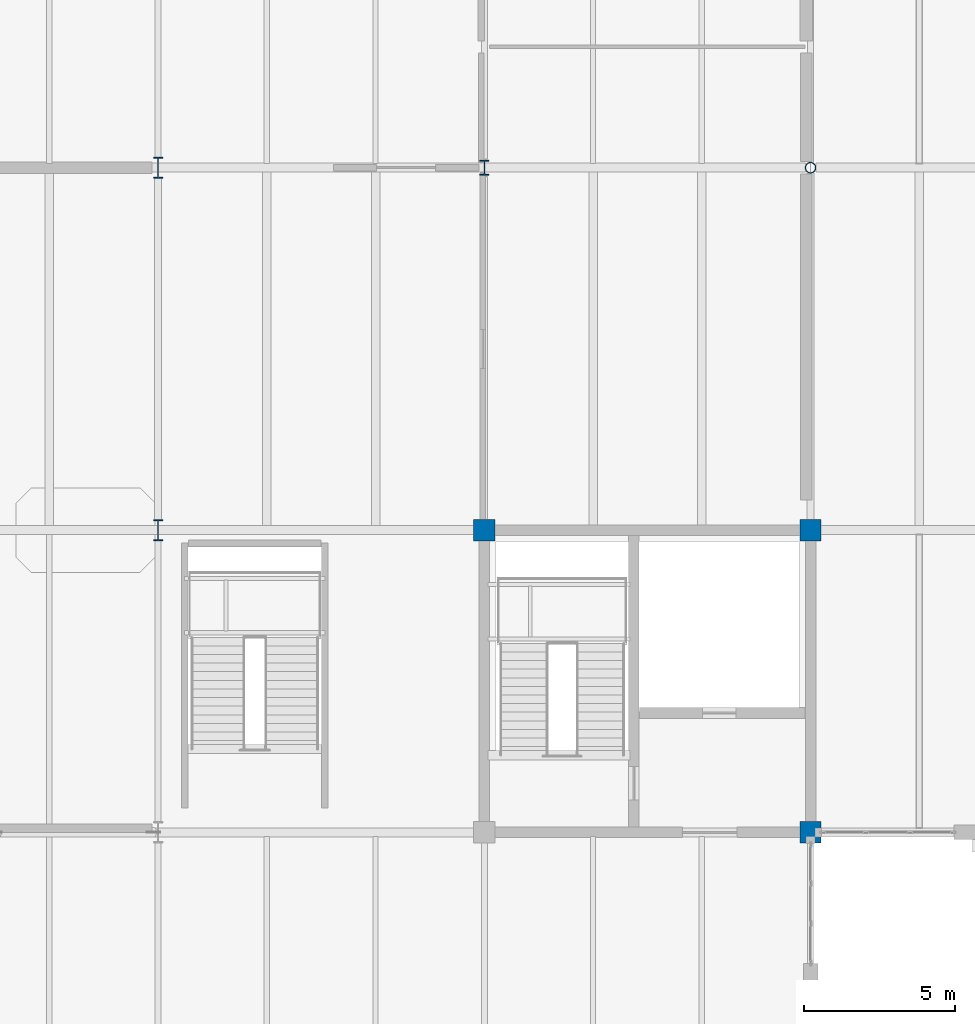
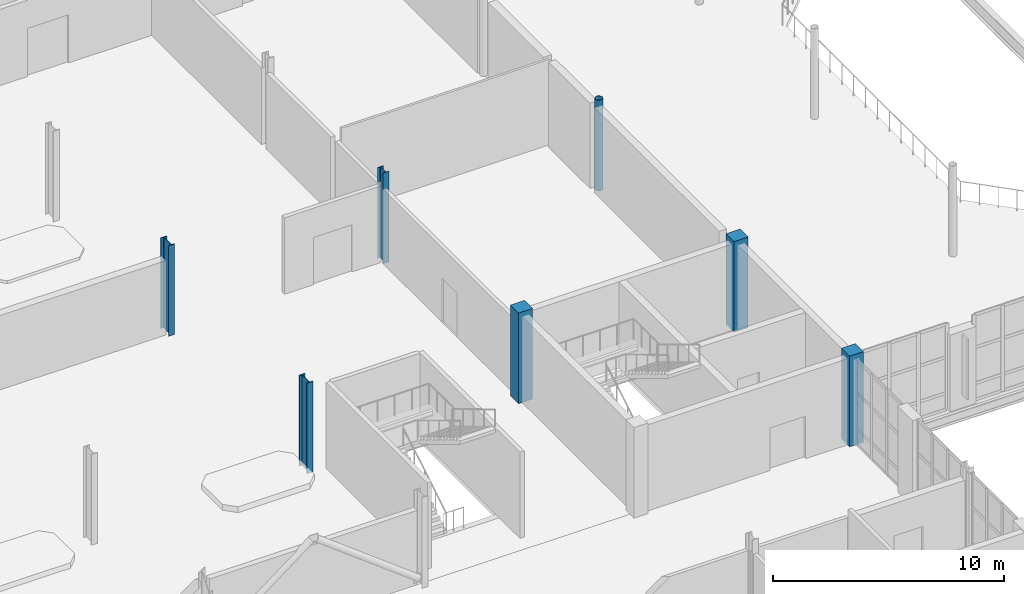
# One storey, part 4 of 92: 7 columns.
"""IFC4 building model written with IfcOpenShell, lengths in metres."""

from ifc_helpers import new_model, si_unit, direction, frame, origin, origin_2d, place, context, subcontext, project, spatial, rectangle, hollow_circle, i_section, extrude, material, material_profile, profile_set, type_object, element, save


model = new_model("IFC4")

# Units and contexts
model_context = context("Model", 3, precision=1e-05, world=origin(), true_north=direction((0.0, 1.0)))
body_context = subcontext(model_context, "Body", "Model", "MODEL_VIEW")
ifc_project = project(units=[si_unit("LENGTHUNIT", "METRE"), si_unit("AREAUNIT", "SQUARE_METRE"), si_unit("VOLUMEUNIT", "CUBIC_METRE"), si_unit("PLANEANGLEUNIT", "RADIAN"), si_unit("MASSUNIT", "GRAM", prefix="KILO")], contexts=[model_context])

# Site, building, storey
site_placement = place(None, origin())
site = spatial("IfcSite", under=ifc_project, at=site_placement, CompositionType="ELEMENT")
building_placement = place(site_placement, origin())
building = spatial("IfcBuilding", under=site, at=building_placement, Name="Tasgan Crest Museum", CompositionType="ELEMENT")
storey_placement = place(building_placement, frame((0.0, 0.0, 4.800048828125)))
storey = spatial("IfcBuildingStorey", under=building, at=storey_placement, Name="L01", CompositionType="ELEMENT", Elevation=4.800048828125)

# Columns
ifc_material_1 = material(Name="Steel S355K2", Category="steel")
ifc_material_profile_1 = material_profile(ifc_material_1, hollow_circle(Radius=0.177734375, WallThickness=0.01611328125, at=origin_2d()), Name="CHS 355.6x16")
ifc_profile_set_1 = profile_set([ifc_material_profile_1], Name="Steel S355K2")
column_type_1 = type_object("IfcColumnType", Name="COL-CHS355", PredefinedType="COLUMN", material=ifc_profile_set_1)
column_1_placement = place(storey_placement, frame((54.0, 62.0, 0.0), z_axis=(0.0, 0.0, 1.0), x_axis=(1.0, 0.0, 0.0)))
element("IfcColumn", 1, at=column_1_placement, inside=storey, type_object=column_type_1, Name="Column 6/G L01", PredefinedType="COLUMN", context=body_context, shape_type="SweptSolid", body=[
    extrude(hollow_circle(Radius=0.177734375, WallThickness=0.01611328125, at=origin_2d()), origin(), (0.0, 0.0, 1.0), 4.800048828125),
])
ifc_material_2 = material(Name="Steel S355J2", Category="steel")
ifc_material_profile_2 = material_profile(ifc_material_2, i_section(OverallWidth=0.300048828125, OverallDepth=0.5, WebThickness=0.014404296875, FlangeThickness=0.028076171875, FilletRadius=0.027099609375, at=origin_2d()), Name="HEB 500")
ifc_profile_set_2 = profile_set([ifc_material_profile_2], Name="Steel S355J2")
column_type_2 = type_object("IfcColumnType", Name="COL-HEB500", PredefinedType="COLUMN", material=ifc_profile_set_2)
column_2_placement = place(storey_placement, frame((43.199951171875, 62.0, 0.0), z_axis=(0.0, 0.0, 1.0), x_axis=(1.0, 0.0, 0.0)))
element("IfcColumn", 2, at=column_2_placement, inside=storey, type_object=column_type_2, Name="Column 5/G L01", PredefinedType="COLUMN", context=body_context, shape_type="SweptSolid", body=[
    extrude(i_section(OverallWidth=0.300048828125, OverallDepth=0.5, WebThickness=0.014404296875, FlangeThickness=0.028076171875, FilletRadius=0.027099609375, at=origin_2d()), origin(), (0.0, 0.0, 1.0), 4.800048828125),
])
ifc_material_3 = material(Name="Steel S355K2", Category="steel")
ifc_material_profile_3 = material_profile(ifc_material_3, i_section(OverallWidth=0.300048828125, OverallDepth=0.699951171875, WebThickness=0.01708984375, FlangeThickness=0.031982421875, FilletRadius=0.027099609375, at=origin_2d()), Name="HEB 700")
ifc_profile_set_3 = profile_set([ifc_material_profile_3], Name="Steel S355K2")
column_type_3 = type_object("IfcColumnType", Name="COL-HEB700", PredefinedType="COLUMN", material=ifc_profile_set_3)
for number, where, z_axis, x_axis, name in (
    (3, (32.39990234375, 50.0, 0.0), (0.0, 0.0, 1.0), (1.0, 0.0, 0.0), "Column 4/F L01"),
    (4, (32.39990234375, 62.0, 0.0), (0.0, 0.0, 1.0), (1.0, 0.0, 0.0), "Column 4/G L01"),
):
    element("IfcColumn", number, at=place(storey_placement, frame(where, z_axis=z_axis, x_axis=x_axis)), inside=storey, type_object=column_type_3, Name=name, PredefinedType="COLUMN", context=body_context, shape_type="SweptSolid", body=[
        extrude(i_section(OverallWidth=0.300048828125, OverallDepth=0.699951171875, WebThickness=0.01708984375, FlangeThickness=0.031982421875, FilletRadius=0.027099609375, at=origin_2d()), origin(), (0.0, 0.0, 1.0), 4.800048828125),
    ])
ifc_material_4 = material(Name="Concrete C40/50", Category="concrete")
ifc_material_profile_4 = material_profile(ifc_material_4, rectangle(XDim=0.699951171875, YDim=0.699951171875, at=origin_2d()), Name="RC 700x700")
ifc_profile_set_4 = profile_set([ifc_material_profile_4], Name="Concrete C40/50")
column_type_4 = type_object("IfcColumnType", Name="COL-RC700", PredefinedType="COLUMN", material=ifc_profile_set_4)
for number, where, z_axis, x_axis, name in (
    (5, (43.199951171875, 50.0, 0.0), (0.0, 0.0, 1.0), (1.0, 0.0, 0.0), "Column 5/F L01"),
    (6, (54.0, 40.0, 0.0), (0.0, 0.0, 1.0), (1.0, 0.0, 0.0), "Column 6/E L01"),
    (7, (54.0, 50.0, 0.0), (0.0, 0.0, 1.0), (1.0, 0.0, 0.0), "Column 6/F L01"),
):
    element("IfcColumn", number, at=place(storey_placement, frame(where, z_axis=z_axis, x_axis=x_axis)), inside=storey, type_object=column_type_4, Name=name, PredefinedType="COLUMN", context=body_context, shape_type="SweptSolid", body=[
        extrude(rectangle(XDim=0.699951171875, YDim=0.699951171875, at=origin_2d()), origin(), (0.0, 0.0, 1.0), 4.800048828125),
    ])

save(model, "model.ifc")
